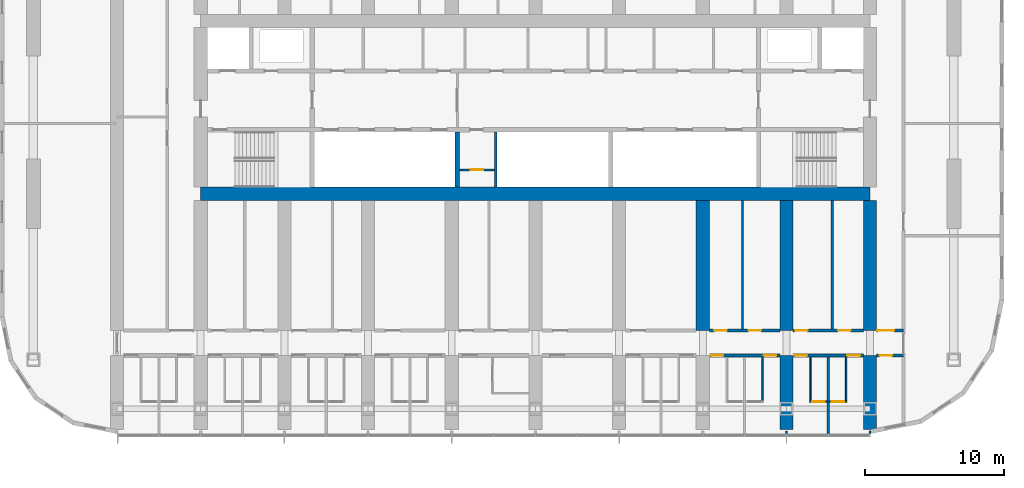
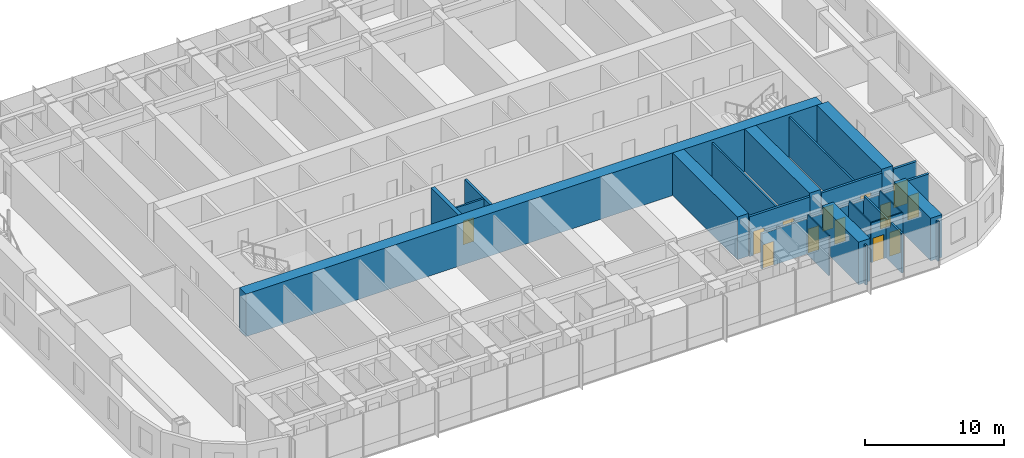
# One storey, part 13 of 26: 25 walls, 13 doors, 13 openings.
"""IFC4 building model written with IfcOpenShell, lengths in metres."""

import ifcopenshell
import ifcopenshell.guid

model = None  # the IFC model being written
_history = None  # IfcOwnerHistory: only IFC2X3 demands one
_inside = {}  # id of a spatial element -> (the spatial element, [elements in it])
_under = {}  # id of a project, library or spatial element -> (it, [spatial elements below it])
_declared = {}  # id of a project -> (the project, [libraries it declares])
_typed = {}  # id of a type object -> (the type object, [elements of that type])
_made_of = {}  # id of a material, layer set ... -> (it, [elements and type objects made of it])


def new_model(schema):
    """Start an empty IFC model of exactly this schema.

    Asked for "IFC4X3", IfcOpenShell would pick the latest addendum, in which some entities
    have other attributes; the version numbers below select the first issue.
    IFC2X3 requires an IfcOwnerHistory on every rooted entity: one is made here for all.
    """
    global model, _history
    if schema == "IFC4X3":
        model = ifcopenshell.file(schema_version=(4, 3, 0, 0))
    else:
        model = ifcopenshell.file(schema=schema)
    _inside.clear()
    _under.clear()
    _declared.clear()
    _typed.clear()
    _made_of.clear()
    _history = None
    if model.schema == "IFC2X3":
        org = make("IfcOrganization", Name="unknown")
        user = make(
            "IfcPersonAndOrganization",
            ThePerson=make("IfcPerson", FamilyName="unknown"),
            TheOrganization=org,
        )
        app = make(
            "IfcApplication",
            ApplicationDeveloper=org,
            Version="unknown",
            ApplicationFullName="unknown",
            ApplicationIdentifier="unknown",
        )
        _history = make(
            "IfcOwnerHistory",
            OwningUser=user,
            OwningApplication=app,
            ChangeAction="ADDED",
            CreationDate=0,
        )
    return model


def make(cls, **values):
    """One entity of the class cls with the attributes given. An attribute that is None is left unset."""
    return model.create_entity(
        cls, **{name: value for name, value in values.items() if value is not None}
    )


def rooted(cls, **values):
    """An entity with a GlobalId (a new one), such as an element, a storey or a relation."""
    return make(cls, GlobalId=ifcopenshell.guid.new(), OwnerHistory=_history, **values)


def si_unit(unit_type, name, prefix=None):
    """IfcSIUnit, for example si_unit("LENGTHUNIT", "METRE", prefix="MILLI")."""
    return make("IfcSIUnit", UnitType=unit_type, Prefix=prefix, Name=name)


def assignment(units):
    """IfcUnitAssignment: the units of a project."""
    return None if units is None else make("IfcUnitAssignment", Units=units)


def point(xyz):
    """IfcCartesianPoint."""
    return None if xyz is None else make("IfcCartesianPoint", Coordinates=xyz)


def direction(xyz):
    """IfcDirection."""
    return None if xyz is None else make("IfcDirection", DirectionRatios=xyz)


def frame(location, z_axis=None, x_axis=None):
    """IfcAxis2Placement3D, a coordinate frame: its origin and axes. An axis left out is left unset."""
    return make(
        "IfcAxis2Placement3D",
        Location=point(location),
        Axis=direction(z_axis),
        RefDirection=direction(x_axis),
    )


def frame_2d(location, x_axis=None):
    """IfcAxis2Placement2D, a coordinate frame in the plane: its origin and x axis."""
    return make(
        "IfcAxis2Placement2D", Location=point(location), RefDirection=direction(x_axis)
    )


def origin():
    """The frame at (0, 0, 0) with its axes left unset."""
    return frame((0.0, 0.0, 0.0))


def place(relative_to, where):
    """IfcLocalPlacement: puts the frame where relative to a parent placement (None: the world)."""
    return make(
        "IfcLocalPlacement", PlacementRelTo=relative_to, RelativePlacement=where
    )


def context(
    kind, dimensions, precision=None, world=None, true_north=None, identifier=None
):
    """IfcGeometricRepresentationContext, for example the 3D "Model" context."""
    return make(
        "IfcGeometricRepresentationContext",
        ContextIdentifier=identifier,
        ContextType=kind,
        CoordinateSpaceDimension=dimensions,
        Precision=precision,
        WorldCoordinateSystem=world,
        TrueNorth=true_north,
    )


def subcontext(parent, identifier, kind, view, scale=None):
    """IfcGeometricRepresentationSubContext, for example "Body" below "Model"."""
    return make(
        "IfcGeometricRepresentationSubContext",
        ContextIdentifier=identifier,
        ContextType=kind,
        ParentContext=parent,
        TargetScale=scale,
        TargetView=view,
    )


def project(units=None, contexts=None):
    """IfcProject with its units and contexts."""
    return rooted(
        "IfcProject",
        Name="project",
        RepresentationContexts=contexts,
        UnitsInContext=assignment(units),
    )


def spatial(cls, under=None, at=None, **own):
    """A site, building, storey or space (cls), placed at a placement, below another one or the project."""
    s = rooted(cls, ObjectPlacement=at, **own)
    if under is not None:
        _under.setdefault(under.id(), (under, []))[1].append(s)
    return s


def polyline(points):
    """IfcPolyline through the points."""
    return make("IfcPolyline", Points=[point(p) for p in points])


def profile(cls, at=None, kind="AREA", **sizes):
    """A parametric profile (cls). Its sizes go by their IFC names, for example OverallWidth=200.0."""
    return make(cls, ProfileType=kind, Position=at, **sizes)


def rectangle(**sizes):
    """IfcRectangleProfileDef."""
    return profile("IfcRectangleProfileDef", **sizes)


def outline(outer, holes=None, kind="AREA"):
    """IfcArbitraryClosedProfileDef: a profile drawn as a closed curve; with holes, ...WithVoids."""
    if holes is None:
        return make("IfcArbitraryClosedProfileDef", ProfileType=kind, OuterCurve=outer)
    return make(
        "IfcArbitraryProfileDefWithVoids",
        ProfileType=kind,
        OuterCurve=outer,
        InnerCurves=holes,
    )


def extrude(swept, where, along, depth):
    """IfcExtrudedAreaSolid: the profile swept, set in the frame where, extruded along a direction by depth."""
    return make(
        "IfcExtrudedAreaSolid",
        SweptArea=swept,
        Position=where,
        ExtrudedDirection=direction(along),
        Depth=depth,
    )


def shape(context_of_items, identifier, shape_type, items):
    """IfcShapeRepresentation: the items that make up one representation, for example the "Body"."""
    return make(
        "IfcShapeRepresentation",
        ContextOfItems=context_of_items,
        RepresentationIdentifier=identifier,
        RepresentationType=shape_type,
        Items=items,
    )


def material(Name=None, Category=None):
    """IfcMaterial."""
    return make("IfcMaterial", Name=Name, Category=Category)


def layer(
    of_material, thickness, ventilated=None, Name=None, Category=None, Priority=None
):
    """IfcMaterialLayer: one layer of a wall or slab, of a material (None: an air gap)."""
    return make(
        "IfcMaterialLayer",
        Material=of_material,
        LayerThickness=thickness,
        IsVentilated=ventilated,
        Name=Name,
        Category=Category,
        Priority=Priority,
    )


def layer_set(layers, Name=None):
    """IfcMaterialLayerSet."""
    return make("IfcMaterialLayerSet", MaterialLayers=layers, LayerSetName=Name)


def made_of(thing, what):
    """Note that an element or type object is made of a material, layer set ...; save() writes the relation."""
    if what is not None:
        _made_of.setdefault(what.id(), (what, []))[1].append(thing)
    return thing


def type_object(cls, material=None, **own):
    """A type object (cls), such as IfcWallType, which elements share."""
    return made_of(rooted(cls, **own), material)


def element(
    cls,
    number,
    at=None,
    inside=None,
    cuts=None,
    type_object=None,
    material=None,
    context=None,
    identifier="Body",
    shape_type=None,
    held_by="IfcProductDefinitionShape",
    body=None,
    shapes=None,
    **own,
):
    """One element of the class cls, such as IfcWall. Its Tag is "e" and its number.

    at: its placement. inside: the storey or other place that contains it. cuts: it is an
    opening in that element (IfcRelVoidsElement). A single representation is given by context,
    identifier, shape_type and body (its items); several are given by shapes. held_by: the class
    of the entity that holds the representations. save() writes the other relations.
    """
    e = rooted(cls, Tag="e%d" % number, ObjectPlacement=at, **own)
    if body is not None:
        shapes = [shape(context, identifier, shape_type, body)]
    if shapes is not None:
        e.Representation = make(held_by, Representations=shapes)
    if inside is not None:
        _inside.setdefault(inside.id(), (inside, []))[1].append(e)
    if cuts is not None:
        rooted(
            "IfcRelVoidsElement", RelatingBuildingElement=cuts, RelatedOpeningElement=e
        )
    if type_object is not None:
        _typed.setdefault(type_object.id(), (type_object, []))[1].append(e)
    return made_of(e, material)


def fill(opening, filler):
    """IfcRelFillsElement: the door or window that sits in an opening."""
    return rooted(
        "IfcRelFillsElement",
        RelatingOpeningElement=opening,
        RelatedBuildingElement=filler,
    )


def aggregate(whole, parts):
    """IfcRelAggregates: a whole, such as a stair, and the parts it consists of."""
    return rooted("IfcRelAggregates", RelatingObject=whole, RelatedObjects=parts)


def save(model, path):
    """Write the relations noted so far, then the file.

    IfcRelAggregates (storeys below a building ...), IfcRelContainedInSpatialStructure (elements
    in a storey), IfcRelDefinesByType, IfcRelAssociatesMaterial and IfcRelDeclares: one each for
    every whole, place, type object, material and project.
    """
    for whole, parts in _under.values():
        aggregate(whole, parts)
    for where, things in _inside.values():
        rooted(
            "IfcRelContainedInSpatialStructure",
            RelatedElements=things,
            RelatingStructure=where,
        )
    for kind, things in _typed.values():
        rooted("IfcRelDefinesByType", RelatedObjects=things, RelatingType=kind)
    for what, things in _made_of.values():
        rooted("IfcRelAssociatesMaterial", RelatedObjects=things, RelatingMaterial=what)
    for by, libraries in _declared.values():
        rooted("IfcRelDeclares", RelatingContext=by, RelatedDefinitions=libraries)
    model.write(path)


model = new_model("IFC4")

# Units and contexts
model_context = context("Model", 3, precision=1e-05, world=origin(), true_north=direction((0.0, 1.0)))
body_context = subcontext(model_context, "Body", "Model", "MODEL_VIEW")
ifc_project = project(units=[si_unit("LENGTHUNIT", "METRE"), si_unit("AREAUNIT", "SQUARE_METRE"), si_unit("VOLUMEUNIT", "CUBIC_METRE"), si_unit("PLANEANGLEUNIT", "RADIAN"), si_unit("MASSUNIT", "GRAM", prefix="KILO")], contexts=[model_context])

# Site, building, storey
site_placement = place(None, origin())
site = spatial("IfcSite", under=ifc_project, at=site_placement, CompositionType="ELEMENT")
building_placement = place(site_placement, origin())
building = spatial("IfcBuilding", under=site, at=building_placement, Name="Orbita Commons", CompositionType="ELEMENT")
storey_placement = place(building_placement, frame((0.0, 0.0, 114.39990234375)))
storey = spatial("IfcBuildingStorey", under=building, at=storey_placement, Name="L28", CompositionType="ELEMENT", Elevation=114.39990234375)

# Wall
ifc_material_1 = material(Name="Concrete C50/60", Category="concrete")
ifc_layer_1 = layer(ifc_material_1, 0.300048828125)
ifc_layer_set_1 = layer_set([ifc_layer_1], Name="Concrete C50/60")
wall_type_1 = type_object("IfcWallType", Name="Core inner wall 300 C50/60", PredefinedType="SHEAR", material=ifc_layer_set_1)
wall_1_placement = place(storey_placement, frame((36.39990234375, 26.27490234375, 0.0), z_axis=(0.0, 0.0, 1.0), x_axis=(0.0, 1.0, 0.0)))
element("IfcWall", 1, at=wall_1_placement, inside=storey, type_object=wall_type_1, Name="Hoistway division wall L28", PredefinedType="SHEAR", context=body_context, shape_type="SweptSolid", body=[
    extrude(rectangle(XDim=3.97509765625, YDim=0.300048828125, at=frame_2d((1.987548828125, 0.0))), origin(), (0.0, 0.0, 1.0), 3.75),
])

# Wall, opening, door
ifc_material_2 = material(Name="Concrete blockwork", Category="masonry")
ifc_layer_2 = layer(ifc_material_2, 0.14990234375)
ifc_layer_set_2 = layer_set([ifc_layer_2], Name="Concrete blockwork")
wall_type_2 = type_object("IfcWallType", Name="Core partition 150 blockwork", PredefinedType="SOLIDWALL", material=ifc_layer_set_2)
wall_2_placement = place(storey_placement, frame((36.550048828125, 27.52490234375, 0.0), z_axis=(0.0, 0.0, 1.0), x_axis=(1.0, 0.0, 0.0)))
wall_2 = element("IfcWall", 2, at=wall_2_placement, inside=storey, type_object=wall_type_2, Name="Core partition 150 blockwork L28", PredefinedType="SOLIDWALL", context=body_context, shape_type="SweptSolid", body=[
    extrude(rectangle(XDim=2.5, YDim=0.14990234375, at=frame_2d((1.25, 0.0))), origin(), (0.0, 0.0, 1.0), 3.5),
])
opening_1_placement = place(wall_2_placement, frame((0.800048828125, 0.0, 0.0)))
opening_1 = element("IfcOpeningElement", 3, at=opening_1_placement, cuts=wall_2, Name="Opening D05", PredefinedType="OPENING", context=body_context, shape_type="SweptSolid", body=[
    extrude(rectangle(XDim=0.89990234375, YDim=2.10009765625, at=frame_2d((0.449951171875, 1.050048828125))), frame((0.0, 0.0849609375, 0.0), z_axis=(0.0, -1.0, 0.0), x_axis=(1.0, 0.0, 0.0)), (0.0, 0.0, 1.0), 0.169921875),
])
ifc_material_3 = material(Name="Steel-faced fire door leaf", Category="steel")
door_type_1 = type_object("IfcDoorType", Name="Service door 20 min 900x2100", OperationType="SINGLE_SWING_LEFT", PredefinedType="DOOR", material=ifc_material_3)
door_1_placement = place(opening_1_placement, origin())
door_1 = element("IfcDoor", 4, at=door_1_placement, inside=storey, type_object=door_type_1, Name="Cupboard door off Equipment store", OperationType="SINGLE_SWING_LEFT", OverallHeight=2.10009765625, OverallWidth=0.89990234375, PredefinedType="DOOR", context=body_context, shape_type="SweptSolid", body=[
    extrude(rectangle(XDim=0.89990234375, YDim=2.10009765625, at=frame_2d((0.449951171875, 1.050048828125))), frame((0.0, 0.02490234375, 0.0), z_axis=(0.0, -1.0, 0.0), x_axis=(1.0, 0.0, 0.0)), (0.0, 0.0, 1.0), 0.050048828125),
])
fill(opening_1, door_1)

# Wall
ifc_material_4 = material(Name="Concrete C50/60", Category="concrete")
ifc_layer_3 = layer(ifc_material_4, 0.949951171875)
ifc_layer_set_3 = layer_set([ifc_layer_3], Name="Concrete C50/60")
wall_type_3 = type_object("IfcWallType", Name="Core wall 950 C50/60", PredefinedType="SHEAR", material=ifc_layer_set_3)
wall_3_placement = place(storey_placement, frame((18.0, 25.800048828125, 0.0), z_axis=(0.0, 0.0, 1.0), x_axis=(1.0, 0.0, 0.0)))
element("IfcWall", 5, at=wall_3_placement, inside=storey, type_object=wall_type_3, Name="Core spine wall south L28", PredefinedType="SHEAR", context=body_context, shape_type="SweptSolid", body=[
    extrude(rectangle(XDim=48.0, YDim=0.949951171875, at=frame_2d((24.0, 0.0))), origin(), (0.0, 0.0, 1.0), 3.75),
])

# Wall, openings, doors
ifc_material_5 = material(Name="Concrete blockwork", Category="masonry")
ifc_layer_4 = layer(ifc_material_5, 0.199951171875)
ifc_layer_set_4 = layer_set([ifc_layer_4], Name="Concrete blockwork")
wall_type_4 = type_object("IfcWallType", Name="Corridor wall 200 blockwork", PredefinedType="SOLIDWALL", material=ifc_layer_set_4)
wall_4_placement = place(storey_placement, frame((54.47509765625, 14.199951171875, 0.0), z_axis=(0.0, 0.0, 1.0), x_axis=(1.0, 0.0, 0.0)))
wall_4 = element("IfcWall", 6, at=wall_4_placement, inside=storey, type_object=wall_type_4, Name="Corridor wall 200 blockwork L28", PredefinedType="SOLIDWALL", context=body_context, shape_type="SweptSolid", body=[
    extrude(outline(polyline([(0.0, 0.0), (5.0498046875, 0.0), (5.050048828125, 3.10009765625), (0.0, 3.10009765625), (0.0, 0.0)])), frame((0.0, 0.10009765625, 0.0), z_axis=(0.0, -1.0, 0.0), x_axis=(1.0, 0.0, 0.0)), (0.0, 0.0, 1.0), 0.199951171875),
])
opening_2_placement = place(wall_4_placement, frame((0.10009765625, 0.0, 0.0)))
opening_2 = element("IfcOpeningElement", 7, at=opening_2_placement, cuts=wall_4, Name="Opening D11", PredefinedType="OPENING", context=body_context, shape_type="SweptSolid", body=[
    extrude(rectangle(XDim=0.89990234375, YDim=2.10009765625, at=frame_2d((0.449951171875, 1.050048828125))), frame((0.0, 0.10986328125, 0.0), z_axis=(0.0, -1.0, 0.0), x_axis=(1.0, 0.0, 0.0)), (0.0, 0.0, 1.0), 0.219970703125),
])
opening_3_placement = place(wall_4_placement, frame((3.89990234375, 0.0, 0.0)))
opening_3 = element("IfcOpeningElement", 8, at=opening_3_placement, cuts=wall_4, Name="Opening D11", PredefinedType="OPENING", context=body_context, shape_type="SweptSolid", body=[
    extrude(rectangle(XDim=0.89990234375, YDim=2.10009765625, at=frame_2d((0.449951171875, 1.050048828125))), frame((0.0, 0.10986328125, 0.0), z_axis=(0.0, -1.0, 0.0), x_axis=(1.0, 0.0, 0.0)), (0.0, 0.0, 1.0), 0.219970703125),
])
ifc_material_6 = material(Name="Steel-faced fire door leaf", Category="steel")
door_type_2 = type_object("IfcDoorType", Name="Corridor door 20 min 900x2100", OperationType="SINGLE_SWING_LEFT", PredefinedType="DOOR", material=ifc_material_6)
door_2_placement = place(opening_2_placement, origin())
door_2 = element("IfcDoor", 9, at=door_2_placement, inside=storey, type_object=door_type_2, Name="Cluster bedroom L28-S14 door", OperationType="SINGLE_SWING_LEFT", OverallHeight=2.10009765625, OverallWidth=0.89990234375, PredefinedType="DOOR", context=body_context, shape_type="SweptSolid", body=[
    extrude(rectangle(XDim=0.89990234375, YDim=2.10009765625, at=frame_2d((0.449951171875, 1.050048828125))), frame((0.0, 0.02490234375, 0.0), z_axis=(0.0, -1.0, 0.0), x_axis=(1.0, 0.0, 0.0)), (0.0, 0.0, 1.0), 0.050048828125),
])
fill(opening_2, door_2)
door_3_placement = place(opening_3_placement, origin())
door_3 = element("IfcDoor", 10, at=door_3_placement, inside=storey, type_object=door_type_2, Name="Cluster bedroom L28-S15 door", OperationType="SINGLE_SWING_LEFT", OverallHeight=2.10009765625, OverallWidth=0.89990234375, PredefinedType="DOOR", context=body_context, shape_type="SweptSolid", body=[
    extrude(rectangle(XDim=0.89990234375, YDim=2.10009765625, at=frame_2d((0.449951171875, 1.050048828125))), frame((0.0, 0.02490234375, 0.0), z_axis=(0.0, -1.0, 0.0), x_axis=(1.0, 0.0, 0.0)), (0.0, 0.0, 1.0), 0.050048828125),
])
fill(opening_3, door_3)

wall_5_placement = place(storey_placement, frame((60.47509765625, 14.199951171875, 0.0), z_axis=(0.0, 0.0, 1.0), x_axis=(1.0, 0.0, 0.0)))
wall_5 = element("IfcWall", 11, at=wall_5_placement, inside=storey, type_object=wall_type_4, Name="Corridor wall 200 blockwork L28", PredefinedType="SOLIDWALL", context=body_context, shape_type="SweptSolid", body=[
    extrude(outline(polyline([(0.0, 0.0), (5.0498046875, 0.0), (5.050048828125, 3.10009765625), (0.0, 3.10009765625), (0.0, 0.0)])), frame((0.0, 0.10009765625, 0.0), z_axis=(0.0, -1.0, 0.0), x_axis=(1.0, 0.0, 0.0)), (0.0, 0.0, 1.0), 0.199951171875),
])
opening_4_placement = place(wall_5_placement, frame((0.10009765625, 0.0, 0.0)))
opening_4 = element("IfcOpeningElement", 12, at=opening_4_placement, cuts=wall_5, Name="Opening D11", PredefinedType="OPENING", context=body_context, shape_type="SweptSolid", body=[
    extrude(rectangle(XDim=0.89990234375, YDim=2.10009765625, at=frame_2d((0.449951171875, 1.050048828125))), frame((0.0, 0.10986328125, 0.0), z_axis=(0.0, -1.0, 0.0), x_axis=(1.0, 0.0, 0.0)), (0.0, 0.0, 1.0), 0.219970703125),
])
opening_5_placement = place(wall_5_placement, frame((3.89990234375, 0.0, 0.0)))
opening_5 = element("IfcOpeningElement", 13, at=opening_5_placement, cuts=wall_5, Name="Opening D11", PredefinedType="OPENING", context=body_context, shape_type="SweptSolid", body=[
    extrude(rectangle(XDim=0.89990234375, YDim=2.10009765625, at=frame_2d((0.449951171875, 1.050048828125))), frame((0.0, 0.10986328125, 0.0), z_axis=(0.0, -1.0, 0.0), x_axis=(1.0, 0.0, 0.0)), (0.0, 0.0, 1.0), 0.219970703125),
])
door_4_placement = place(opening_4_placement, origin())
door_4 = element("IfcDoor", 14, at=door_4_placement, inside=storey, type_object=door_type_2, Name="Cluster bedroom L28-S16 door", OperationType="SINGLE_SWING_LEFT", OverallHeight=2.10009765625, OverallWidth=0.89990234375, PredefinedType="DOOR", context=body_context, shape_type="SweptSolid", body=[
    extrude(rectangle(XDim=0.89990234375, YDim=2.10009765625, at=frame_2d((0.449951171875, 1.050048828125))), frame((0.0, 0.02490234375, 0.0), z_axis=(0.0, -1.0, 0.0), x_axis=(1.0, 0.0, 0.0)), (0.0, 0.0, 1.0), 0.050048828125),
])
fill(opening_4, door_4)
door_5_placement = place(opening_5_placement, origin())
door_5 = element("IfcDoor", 15, at=door_5_placement, inside=storey, type_object=door_type_2, Name="Cluster bedroom L28-S17 door", OperationType="SINGLE_SWING_LEFT", OverallHeight=2.10009765625, OverallWidth=0.89990234375, PredefinedType="DOOR", context=body_context, shape_type="SweptSolid", body=[
    extrude(rectangle(XDim=0.89990234375, YDim=2.10009765625, at=frame_2d((0.449951171875, 1.050048828125))), frame((0.0, 0.02490234375, 0.0), z_axis=(0.0, -1.0, 0.0), x_axis=(1.0, 0.0, 0.0)), (0.0, 0.0, 1.0), 0.050048828125),
])
fill(opening_5, door_5)

# Wall, opening, door
wall_6_placement = place(storey_placement, frame((66.47509765625, 14.199951171875, 0.0), z_axis=(0.0, 0.0, 1.0), x_axis=(1.0, 0.0, 0.0)))
wall_6 = element("IfcWall", 16, at=wall_6_placement, inside=storey, type_object=wall_type_4, Name="Corridor wall 200 blockwork L28", PredefinedType="SOLIDWALL", context=body_context, shape_type="SweptSolid", body=[
    extrude(rectangle(XDim=1.9248046875, YDim=0.199951171875, at=frame_2d((0.96240234375, 0.0))), origin(), (0.0, 0.0, 1.0), 3.5),
])
opening_6_placement = place(wall_6_placement, frame((0.199951171875, 0.0, 0.0)))
opening_6 = element("IfcOpeningElement", 17, at=opening_6_placement, cuts=wall_6, Name="Opening D05", PredefinedType="OPENING", context=body_context, shape_type="SweptSolid", body=[
    extrude(rectangle(XDim=0.89990234375, YDim=2.10009765625, at=frame_2d((0.449951171875, 1.050048828125))), frame((0.0, 0.10986328125, 0.0), z_axis=(0.0, -1.0, 0.0), x_axis=(1.0, 0.0, 0.0)), (0.0, 0.0, 1.0), 0.219970703125),
])
door_6_placement = place(opening_6_placement, origin())
door_6 = element("IfcDoor", 18, at=door_6_placement, inside=storey, type_object=door_type_1, Name="Linen store L28-KES door", OperationType="SINGLE_SWING_LEFT", OverallHeight=2.10009765625, OverallWidth=0.89990234375, PredefinedType="DOOR", context=body_context, shape_type="SweptSolid", body=[
    extrude(rectangle(XDim=0.89990234375, YDim=2.10009765625, at=frame_2d((0.449951171875, 1.050048828125))), frame((0.0, 0.02490234375, 0.0), z_axis=(0.0, -1.0, 0.0), x_axis=(1.0, 0.0, 0.0)), (0.0, 0.0, 1.0), 0.050048828125),
])
fill(opening_6, door_6)

# Wall, openings, doors
ifc_material_7 = material(Name="Hollow concrete block 200", Category="concrete")
ifc_layer_5 = layer(ifc_material_7, 0.199951171875)
ifc_layer_set_5 = layer_set([ifc_layer_5], Name="Hollow concrete block 200")
wall_type_5 = type_object("IfcWallType", Name="Corridor wall 200 hollow concrete block", PredefinedType="SOLIDWALL", material=ifc_layer_set_5)
wall_7_placement = place(storey_placement, frame((54.47509765625, 16.0, 0.0), z_axis=(0.0, 0.0, 1.0), x_axis=(1.0, 0.0, 0.0)))
wall_7 = element("IfcWall", 19, at=wall_7_placement, inside=storey, type_object=wall_type_5, Name="Corridor wall 200 hollow concrete block L28", PredefinedType="SOLIDWALL", context=body_context, shape_type="SweptSolid", body=[
    extrude(rectangle(XDim=5.0498046875, YDim=0.199951171875, at=frame_2d((2.52490234375, 0.0))), origin(), (0.0, 0.0, 1.0), 3.5),
])
opening_7_placement = place(wall_7_placement, frame((0.35009765625, 0.0, 0.0)))
opening_7 = element("IfcOpeningElement", 20, at=opening_7_placement, cuts=wall_7, Name="Opening D11", PredefinedType="OPENING", context=body_context, shape_type="SweptSolid", body=[
    extrude(rectangle(XDim=0.89990234375, YDim=2.10009765625, at=frame_2d((0.449951171875, 1.050048828125))), frame((0.0, 0.10986328125, 0.0), z_axis=(0.0, -1.0, 0.0), x_axis=(1.0, 0.0, 0.0)), (0.0, 0.0, 1.0), 0.219970703125),
])
opening_8_placement = place(wall_7_placement, frame((2.804931640625, 0.0, 0.0)))
opening_8 = element("IfcOpeningElement", 21, at=opening_8_placement, cuts=wall_7, Name="Opening D11", PredefinedType="OPENING", context=body_context, shape_type="SweptSolid", body=[
    extrude(rectangle(XDim=0.89990234375, YDim=2.10009765625, at=frame_2d((0.449951171875, 1.050048828125))), frame((0.0, 0.10986328125, 0.0), z_axis=(0.0, -1.0, 0.0), x_axis=(1.0, 0.0, 0.0)), (0.0, 0.0, 1.0), 0.219970703125),
])
door_7_placement = place(opening_7_placement, origin())
door_7 = element("IfcDoor", 22, at=door_7_placement, inside=storey, type_object=door_type_2, Name="Sprinkler valve room L28-BDS54n door", OperationType="SINGLE_SWING_LEFT", OverallHeight=2.10009765625, OverallWidth=0.89990234375, PredefinedType="DOOR", context=body_context, shape_type="SweptSolid", body=[
    extrude(rectangle(XDim=0.89990234375, YDim=2.10009765625, at=frame_2d((0.449951171875, 1.050048828125))), frame((0.0, 0.02490234375, 0.0), z_axis=(0.0, -1.0, 0.0), x_axis=(1.0, 0.0, 0.0)), (0.0, 0.0, 1.0), 0.050048828125),
])
fill(opening_7, door_7)
door_8_placement = place(opening_8_placement, origin())
door_8 = element("IfcDoor", 23, at=door_8_placement, inside=storey, type_object=door_type_2, Name="Ventilation plant room south L28-BDS54 door", OperationType="SINGLE_SWING_LEFT", OverallHeight=2.10009765625, OverallWidth=0.89990234375, PredefinedType="DOOR", context=body_context, shape_type="SweptSolid", body=[
    extrude(rectangle(XDim=0.89990234375, YDim=2.10009765625, at=frame_2d((0.449951171875, 1.050048828125))), frame((0.0, 0.02490234375, 0.0), z_axis=(0.0, -1.0, 0.0), x_axis=(1.0, 0.0, 0.0)), (0.0, 0.0, 1.0), 0.050048828125),
])
fill(opening_8, door_8)

wall_8_placement = place(storey_placement, frame((60.47509765625, 16.0, 0.0), z_axis=(0.0, 0.0, 1.0), x_axis=(1.0, 0.0, 0.0)))
wall_8 = element("IfcWall", 24, at=wall_8_placement, inside=storey, type_object=wall_type_5, Name="Corridor wall 200 hollow concrete block L28", PredefinedType="SOLIDWALL", context=body_context, shape_type="SweptSolid", body=[
    extrude(rectangle(XDim=5.0498046875, YDim=0.199951171875, at=frame_2d((2.52490234375, 0.0))), origin(), (0.0, 0.0, 1.0), 3.5),
])
opening_9_placement = place(wall_8_placement, frame((0.14990234375, 0.0, 0.0)))
opening_9 = element("IfcOpeningElement", 25, at=opening_9_placement, cuts=wall_8, Name="Opening D11", PredefinedType="OPENING", context=body_context, shape_type="SweptSolid", body=[
    extrude(rectangle(XDim=0.89990234375, YDim=2.10009765625, at=frame_2d((0.449951171875, 1.050048828125))), frame((0.0, 0.10986328125, 0.0), z_axis=(0.0, -1.0, 0.0), x_axis=(1.0, 0.0, 0.0)), (0.0, 0.0, 1.0), 0.219970703125),
])
opening_10_placement = place(wall_8_placement, frame((3.235107421875, 0.0, 0.0)))
opening_10 = element("IfcOpeningElement", 26, at=opening_10_placement, cuts=wall_8, Name="Opening D11", PredefinedType="OPENING", context=body_context, shape_type="SweptSolid", body=[
    extrude(rectangle(XDim=0.89990234375, YDim=2.10009765625, at=frame_2d((0.449951171875, 1.050048828125))), frame((0.0, 0.10986328125, 0.0), z_axis=(0.0, -1.0, 0.0), x_axis=(1.0, 0.0, 0.0)), (0.0, 0.0, 1.0), 0.219970703125),
])
door_9_placement = place(opening_9_placement, origin())
door_9 = element("IfcDoor", 27, at=door_9_placement, inside=storey, type_object=door_type_2, Name="Refuse and recycling room L28-BDS60 door", OperationType="SINGLE_SWING_LEFT", OverallHeight=2.10009765625, OverallWidth=0.89990234375, PredefinedType="DOOR", context=body_context, shape_type="SweptSolid", body=[
    extrude(rectangle(XDim=0.89990234375, YDim=2.10009765625, at=frame_2d((0.449951171875, 1.050048828125))), frame((0.0, 0.02490234375, 0.0), z_axis=(0.0, -1.0, 0.0), x_axis=(1.0, 0.0, 0.0)), (0.0, 0.0, 1.0), 0.050048828125),
])
fill(opening_9, door_9)
door_10_placement = place(opening_10_placement, origin())
door_10 = element("IfcDoor", 28, at=door_10_placement, inside=storey, type_object=door_type_2, Name="Water heater cupboard L28-BDS60n door", OperationType="SINGLE_SWING_LEFT", OverallHeight=2.10009765625, OverallWidth=0.89990234375, PredefinedType="DOOR", context=body_context, shape_type="SweptSolid", body=[
    extrude(rectangle(XDim=0.89990234375, YDim=2.10009765625, at=frame_2d((0.449951171875, 1.050048828125))), frame((0.0, 0.02490234375, 0.0), z_axis=(0.0, -1.0, 0.0), x_axis=(1.0, 0.0, 0.0)), (0.0, 0.0, 1.0), 0.050048828125),
])
fill(opening_10, door_10)

# Wall, opening, door
wall_9_placement = place(storey_placement, frame((66.47509765625, 16.0, 0.0), z_axis=(0.0, 0.0, 1.0), x_axis=(1.0, 0.0, 0.0)))
wall_9 = element("IfcWall", 29, at=wall_9_placement, inside=storey, type_object=wall_type_5, Name="Corridor wall 200 hollow concrete block L28", PredefinedType="SOLIDWALL", context=body_context, shape_type="SweptSolid", body=[
    extrude(rectangle(XDim=1.9248046875, YDim=0.199951171875, at=frame_2d((0.96240234375, 0.0))), origin(), (0.0, 0.0, 1.0), 3.5),
])
opening_11_placement = place(wall_9_placement, frame((0.050048828125, 0.0, 0.0)))
opening_11 = element("IfcOpeningElement", 30, at=opening_11_placement, cuts=wall_9, Name="Opening D12", PredefinedType="OPENING", context=body_context, shape_type="SweptSolid", body=[
    extrude(rectangle(XDim=1.199951171875, YDim=2.10009765625, at=frame_2d((0.60009765625, 1.050048828125))), frame((0.0, 0.10986328125, 0.0), z_axis=(0.0, -1.0, 0.0), x_axis=(1.0, 0.0, 0.0)), (0.0, 0.0, 1.0), 0.219970703125),
])
ifc_material_8 = material(Name="Steel-faced fire door leaf", Category="steel")
door_type_3 = type_object("IfcDoorType", Name="Double corridor door 20 min 1200x2100", OperationType="DOUBLE_DOOR_SINGLE_SWING", PredefinedType="DOOR", material=ifc_material_8)
door_11_placement = place(opening_11_placement, origin())
door_11 = element("IfcDoor", 31, at=door_11_placement, inside=storey, type_object=door_type_3, Name="Cross corridor doors", OperationType="DOUBLE_DOOR_SINGLE_SWING", OverallHeight=2.10009765625, OverallWidth=1.199951171875, PredefinedType="DOOR", context=body_context, shape_type="SweptSolid", body=[
    extrude(rectangle(XDim=1.199951171875, YDim=2.10009765625, at=frame_2d((0.60009765625, 1.050048828125))), frame((0.0, 0.02490234375, 0.0), z_axis=(0.0, -1.0, 0.0), x_axis=(1.0, 0.0, 0.0)), (0.0, 0.0, 1.0), 0.050048828125),
])
fill(opening_11, door_11)

# Walls
ifc_material_9 = material(Name="Concrete C50/60", Category="concrete")
ifc_layer_6 = layer(ifc_material_9, 0.949951171875)
ifc_layer_set_6 = layer_set([ifc_layer_6], Name="Concrete C50/60")
wall_type_6 = type_object("IfcWallType", Name="Cross wall 950 C50/60", PredefinedType="SHEAR", material=ifc_layer_set_6)
wall_10_placement = place(storey_placement, frame((54.0, 16.0, 0.0), z_axis=(0.0, 0.0, 1.0), x_axis=(0.0, 1.0, 0.0)))
element("IfcWall", 32, at=wall_10_placement, inside=storey, type_object=wall_type_6, Name="Cross wall 10 south inner L28", PredefinedType="SHEAR", context=body_context, shape_type="SweptSolid", body=[
    extrude(rectangle(XDim=9.324951171875, YDim=0.949951171875, at=frame_2d((4.66259765625, 0.0))), origin(), (0.0, 0.0, 1.0), 3.75),
])
wall_11_placement = place(storey_placement, frame((60.0, 8.89990234375, 0.0), z_axis=(0.0, 0.0, 1.0), x_axis=(0.0, 1.0, 0.0)))
element("IfcWall", 33, at=wall_11_placement, inside=storey, type_object=wall_type_6, Name="Cross wall 11 south outer L28", PredefinedType="SHEAR", context=body_context, shape_type="SweptSolid", body=[
    extrude(rectangle(XDim=5.300048828125, YDim=0.949951171875, at=frame_2d((2.64990234375, 0.0))), origin(), (0.0, 0.0, 1.0), 3.75),
])
wall_12_placement = place(storey_placement, frame((60.0, 16.0, 0.0), z_axis=(0.0, 0.0, 1.0), x_axis=(0.0, 1.0, 0.0)))
element("IfcWall", 34, at=wall_12_placement, inside=storey, type_object=wall_type_6, Name="Cross wall 11 south inner L28", PredefinedType="SHEAR", context=body_context, shape_type="SweptSolid", body=[
    extrude(rectangle(XDim=9.324951171875, YDim=0.949951171875, at=frame_2d((4.66259765625, 0.0))), origin(), (0.0, 0.0, 1.0), 3.75),
])
wall_13_placement = place(storey_placement, frame((66.0, 8.89990234375, 0.0), z_axis=(0.0, 0.0, 1.0), x_axis=(0.0, 1.0, 0.0)))
element("IfcWall", 35, at=wall_13_placement, inside=storey, type_object=wall_type_6, Name="Cross wall 12 south outer L28", PredefinedType="SHEAR", context=body_context, shape_type="SweptSolid", body=[
    extrude(rectangle(XDim=5.300048828125, YDim=0.949951171875, at=frame_2d((2.64990234375, 0.0))), origin(), (0.0, 0.0, 1.0), 3.75),
])
wall_14_placement = place(storey_placement, frame((66.0, 16.0, 0.0), z_axis=(0.0, 0.0, 1.0), x_axis=(0.0, 1.0, 0.0)))
element("IfcWall", 36, at=wall_14_placement, inside=storey, type_object=wall_type_6, Name="Cross wall 12 south inner L28", PredefinedType="SHEAR", context=body_context, shape_type="SweptSolid", body=[
    extrude(rectangle(XDim=9.324951171875, YDim=0.949951171875, at=frame_2d((4.66259765625, 0.0))), origin(), (0.0, 0.0, 1.0), 3.75),
])
ifc_material_10 = material(Name="Moisture-resistant plasterboard on steel studs", Category="steel")
ifc_layer_7 = layer(ifc_material_10, 0.10009765625)
ifc_layer_set_7 = layer_set([ifc_layer_7], Name="Moisture-resistant plasterboard on steel studs")
wall_type_7 = type_object("IfcWallType", Name="En-suite partition 100", PredefinedType="PARTITIONING", material=ifc_layer_set_7)
wall_15_placement = place(storey_placement, frame((58.27490234375, 10.949951171875, 0.0), z_axis=(0.0, 0.0, 1.0), x_axis=(0.0, 1.0, 0.0)))
element("IfcWall", 37, at=wall_15_placement, inside=storey, type_object=wall_type_7, Name="En-suite partition 100 L28", PredefinedType="PARTITIONING", context=body_context, shape_type="SweptSolid", body=[
    extrude(outline(polyline([(0.0, 0.0), (3.150146484375, 0.0), (3.14990234375, 3.10009765625), (3.10205078125, 3.10009765625), (3.10009765625, 3.5), (0.0, 3.5), (0.0, 0.0)])), frame((0.0, 0.050048828125, 0.0), z_axis=(0.0, -1.0, 0.0), x_axis=(1.0, 0.0, 0.0)), (0.0, 0.0, 1.0), 0.10009765625),
])

# Wall, opening, door
wall_16_placement = place(storey_placement, frame((62.925048828125, 10.89990234375, 0.0), z_axis=(0.0, 0.0, 1.0), x_axis=(-1.0, 0.0, 0.0)))
wall_16 = element("IfcWall", 38, at=wall_16_placement, inside=storey, type_object=wall_type_7, Name="En-suite partition 100 L28", PredefinedType="PARTITIONING", context=body_context, shape_type="SweptSolid", body=[
    extrude(rectangle(XDim=1.25, YDim=0.10009765625, at=frame_2d((0.625, 0.0))), origin(), (0.0, 0.0, 1.0), 3.5),
])
opening_12_placement = place(wall_16_placement, frame((0.175048828125, 0.0, 0.0)))
opening_12 = element("IfcOpeningElement", 39, at=opening_12_placement, cuts=wall_16, Name="Opening D09", PredefinedType="OPENING", context=body_context, shape_type="SweptSolid", body=[
    extrude(rectangle(XDim=0.89990234375, YDim=2.10009765625, at=frame_2d((0.449951171875, 1.050048828125))), frame((0.0, 0.06005859375, 0.0), z_axis=(0.0, -1.0, 0.0), x_axis=(1.0, 0.0, 0.0)), (0.0, 0.0, 1.0), 0.1201171875),
])
ifc_material_11 = material(Name="Laminated timber door leaf", Category="wood")
door_type_4 = type_object("IfcDoorType", Name="En-suite door 900x2100", OperationType="SINGLE_SWING_RIGHT", PredefinedType="DOOR", material=ifc_material_11)
door_12_placement = place(opening_12_placement, origin())
door_12 = element("IfcDoor", 40, at=door_12_placement, inside=storey, type_object=door_type_4, Name="En-suite L28-S16 door", OperationType="SINGLE_SWING_RIGHT", OverallHeight=2.10009765625, OverallWidth=0.89990234375, PredefinedType="DOOR", context=body_context, shape_type="SweptSolid", body=[
    extrude(rectangle(XDim=0.89990234375, YDim=2.10009765625, at=frame_2d((0.449951171875, 1.050048828125))), frame((0.0, 0.02490234375, 0.0), z_axis=(0.0, -1.0, 0.0), x_axis=(1.0, 0.0, 0.0)), (0.0, 0.0, 1.0), 0.050048828125),
])
fill(opening_12, door_12)

# Wall
wall_17_placement = place(storey_placement, frame((61.72509765625, 10.949951171875, 0.0), z_axis=(0.0, 0.0, 1.0), x_axis=(0.0, 1.0, 0.0)))
element("IfcWall", 41, at=wall_17_placement, inside=storey, type_object=wall_type_7, Name="En-suite partition 100 L28", PredefinedType="PARTITIONING", context=body_context, shape_type="SweptSolid", body=[
    extrude(outline(polyline([(0.0, 0.0), (3.150146484375, 0.0), (3.14990234375, 3.10009765625), (3.10205078125, 3.10009765625), (3.10009765625, 3.5), (0.0, 3.5), (0.0, 0.0)])), frame((0.0, 0.050048828125, 0.0), z_axis=(0.0, -1.0, 0.0), x_axis=(1.0, 0.0, 0.0)), (0.0, 0.0, 1.0), 0.10009765625),
])

# Wall, opening, door
wall_18_placement = place(storey_placement, frame((64.324951171875, 10.89990234375, 0.0), z_axis=(0.0, 0.0, 1.0), x_axis=(-1.0, 0.0, 0.0)))
wall_18 = element("IfcWall", 42, at=wall_18_placement, inside=storey, type_object=wall_type_7, Name="En-suite partition 100 L28", PredefinedType="PARTITIONING", context=body_context, shape_type="SweptSolid", body=[
    extrude(rectangle(XDim=1.25, YDim=0.10009765625, at=frame_2d((0.625, 0.0))), origin(), (0.0, 0.0, 1.0), 3.5),
])
opening_13_placement = place(wall_18_placement, frame((0.175048828125, 0.0, 0.0)))
opening_13 = element("IfcOpeningElement", 43, at=opening_13_placement, cuts=wall_18, Name="Opening D09", PredefinedType="OPENING", context=body_context, shape_type="SweptSolid", body=[
    extrude(rectangle(XDim=0.89990234375, YDim=2.10009765625, at=frame_2d((0.449951171875, 1.050048828125))), frame((0.0, 0.06005859375, 0.0), z_axis=(0.0, -1.0, 0.0), x_axis=(1.0, 0.0, 0.0)), (0.0, 0.0, 1.0), 0.1201171875),
])
door_13_placement = place(opening_13_placement, origin())
door_13 = element("IfcDoor", 44, at=door_13_placement, inside=storey, type_object=door_type_4, Name="En-suite L28-S17 door", OperationType="SINGLE_SWING_RIGHT", OverallHeight=2.10009765625, OverallWidth=0.89990234375, PredefinedType="DOOR", context=body_context, shape_type="SweptSolid", body=[
    extrude(rectangle(XDim=0.89990234375, YDim=2.10009765625, at=frame_2d((0.449951171875, 1.050048828125))), frame((0.0, 0.02490234375, 0.0), z_axis=(0.0, -1.0, 0.0), x_axis=(1.0, 0.0, 0.0)), (0.0, 0.0, 1.0), 0.050048828125),
])
fill(opening_13, door_13)

# Walls
wall_19_placement = place(storey_placement, frame((64.27490234375, 10.949951171875, 0.0), z_axis=(0.0, 0.0, 1.0), x_axis=(0.0, 1.0, 0.0)))
element("IfcWall", 45, at=wall_19_placement, inside=storey, type_object=wall_type_7, Name="En-suite partition 100 L28", PredefinedType="PARTITIONING", context=body_context, shape_type="SweptSolid", body=[
    extrude(outline(polyline([(0.0, 0.0), (3.150146484375, 0.0), (3.14990234375, 3.10009765625), (3.10205078125, 3.10009765625), (3.10009765625, 3.5), (0.0, 3.5), (0.0, 0.0)])), frame((0.0, 0.050048828125, 0.0), z_axis=(0.0, -1.0, 0.0), x_axis=(1.0, 0.0, 0.0)), (0.0, 0.0, 1.0), 0.10009765625),
])
ifc_material_12 = material(Name="Gypsum plasterboard on steel studs", Category="steel")
ifc_layer_8 = layer(ifc_material_12, 0.14990234375)
ifc_layer_set_8 = layer_set([ifc_layer_8], Name="Gypsum plasterboard on steel studs")
wall_type_8 = type_object("IfcWallType", Name="Partition 150 plasterboard", PredefinedType="PARTITIONING", material=ifc_layer_set_8)
for number, where, z_axis, x_axis, name in (
    (46, (56.85498046875, 16.10009765625, 0.0), (0.0, 0.0, 1.0), (0.0, 1.0, 0.0), "Partition 150 plasterboard L28"),
    (47, (63.284912109375, 16.10009765625, 0.0), (0.0, 0.0, 1.0), (0.0, 1.0, 0.0), "Partition 150 plasterboard L28"),
):
    element("IfcWall", number, at=place(storey_placement, frame(where, z_axis=z_axis, x_axis=x_axis)), inside=storey, type_object=wall_type_8, Name=name, PredefinedType="PARTITIONING", context=body_context, shape_type="SweptSolid", body=[
        extrude(rectangle(XDim=9.224853515625, YDim=0.14990234375, at=frame_2d((4.6123046875, 0.0))), origin(), (0.0, 0.0, 1.0), 3.5),
    ])
wall_20_placement = place(storey_placement, frame((60.0, 8.800048828125, 0.0), z_axis=(0.0, 0.0, 1.0), x_axis=(0.0, -1.0, 0.0)))
element("IfcWall", 48, at=wall_20_placement, inside=storey, type_object=wall_type_8, Name="Partition 150 plasterboard L28", PredefinedType="PARTITIONING", context=body_context, shape_type="SweptSolid", body=[
    extrude(rectangle(XDim=0.18994140625, YDim=0.14990234375, at=frame_2d((0.094970703125, 0.0))), origin(), (0.0, 0.0, 1.0), 3.5),
])
wall_21_placement = place(storey_placement, frame((66.0, 8.800048828125, 0.0), z_axis=(0.0, 0.0, 1.0), x_axis=(0.0, -1.0, 0.0)))
element("IfcWall", 49, at=wall_21_placement, inside=storey, type_object=wall_type_8, Name="Partition 150 plasterboard L28", PredefinedType="PARTITIONING", context=body_context, shape_type="SweptSolid", body=[
    extrude(rectangle(XDim=0.219970703125, YDim=0.14990234375, at=frame_2d((0.10986328125, 0.0))), origin(), (0.0, 0.0, 1.0), 3.5),
])
ifc_material_13 = material(Name="Gypsum plasterboard on steel studs", Category="steel")
ifc_layer_9 = layer(ifc_material_13, 0.14990234375)
ifc_layer_set_9 = layer_set([ifc_layer_9], Name="Gypsum plasterboard on steel studs")
wall_type_9 = type_object("IfcWallType", Name="Party wall 150 plasterboard", PredefinedType="PARTITIONING", material=ifc_layer_set_9)
wall_22_placement = place(storey_placement, frame((63.0, 8.610107421875, 0.0), z_axis=(0.0, 0.0, 1.0), x_axis=(0.0, 1.0, 0.0)))
element("IfcWall", 50, at=wall_22_placement, inside=storey, type_object=wall_type_9, Name="Party wall 150 plasterboard L28", PredefinedType="PARTITIONING", context=body_context, shape_type="SweptSolid", body=[
    extrude(outline(polyline([(0.0, 0.0), (5.489990234375, 0.0), (5.489990234375, 3.10009765625), (5.44189453125, 3.10009765625), (5.43994140625, 3.5), (1.991943359375, 3.5), (1.989990234375, 3.10009765625), (1.592041015625, 3.10009765625), (1.590087890625, 3.5), (0.0, 3.5), (0.0, 0.0)])), frame((0.0, 0.074951171875, 0.0), z_axis=(0.0, -1.0, 0.0), x_axis=(1.0, 0.0, 0.0)), (0.0, 0.0, 1.0), 0.14990234375),
])
ifc_material_14 = material(Name="Concrete blockwork, fully filled", Category="masonry")
ifc_layer_10 = layer(ifc_material_14, 0.199951171875)
ifc_layer_set_10 = layer_set([ifc_layer_10], Name="Concrete blockwork, fully filled")
wall_type_10 = type_object("IfcWallType", Name="Shaft partition 200 blockwork", PredefinedType="SOLIDWALL", material=ifc_layer_set_10)
wall_23_placement = place(storey_placement, frame((39.14990234375, 26.27490234375, 0.0), z_axis=(0.0, 0.0, 1.0), x_axis=(0.0, 1.0, 0.0)))
element("IfcWall", 51, at=wall_23_placement, inside=storey, type_object=wall_type_10, Name="Shaft partition 200 blockwork L28", PredefinedType="SOLIDWALL", context=body_context, shape_type="SweptSolid", body=[
    extrude(rectangle(XDim=3.97509765625, YDim=0.199951171875, at=frame_2d((1.987548828125, 0.0))), origin(), (0.0, 0.0, 1.0), 3.5),
])

save(model, "model.ifc")
